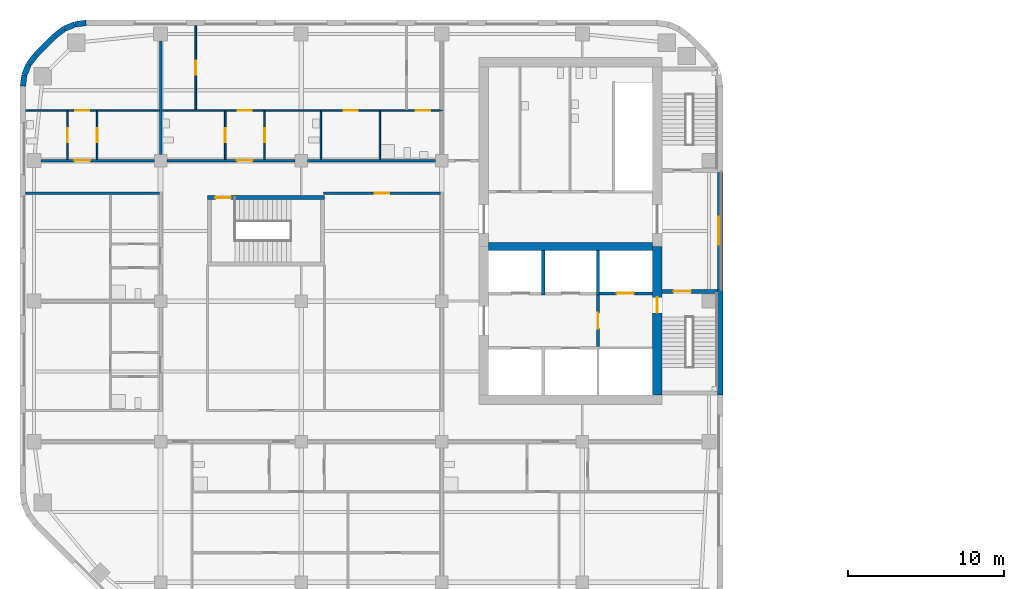
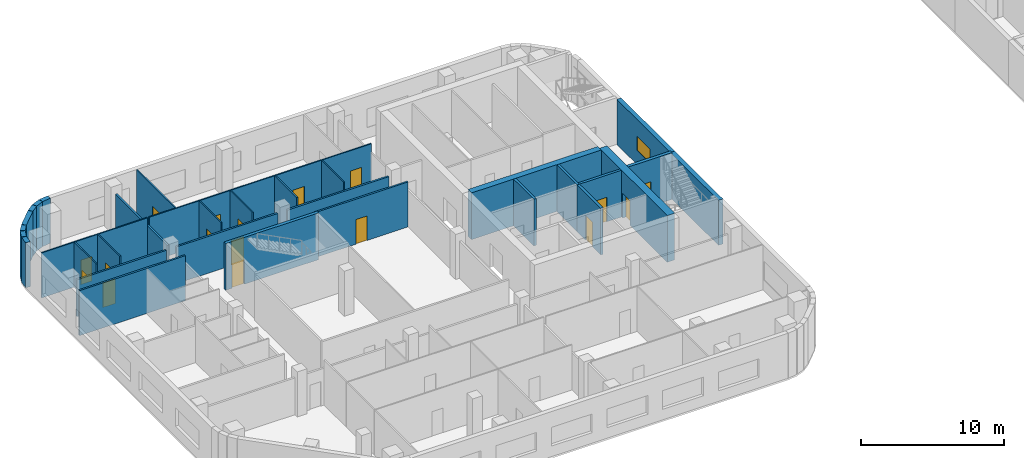
# One storey, part 7 of 16: 32 walls, 17 doors, 1 window, 18 openings.
"""IFC4 building model written with IfcOpenShell, lengths in metres."""

from ifc_helpers import new_model, si_unit, direction, frame, frame_2d, origin, place, context, subcontext, project, spatial, rectangle, extrude, material, layer, layer_set, type_object, element, fill, save


model = new_model("IFC4")

# Units and contexts
model_context = context("Model", 3, precision=1e-05, world=origin(), true_north=direction((0.0, 1.0)))
body_context = subcontext(model_context, "Body", "Model", "MODEL_VIEW")
ifc_project = project(units=[si_unit("LENGTHUNIT", "METRE"), si_unit("AREAUNIT", "SQUARE_METRE"), si_unit("VOLUMEUNIT", "CUBIC_METRE"), si_unit("PLANEANGLEUNIT", "RADIAN"), si_unit("MASSUNIT", "GRAM", prefix="KILO")], contexts=[model_context])

# Site, building, storey
site_placement = place(None, origin())
site = spatial("IfcSite", under=ifc_project, at=site_placement, CompositionType="ELEMENT")
building_placement = place(site_placement, origin())
building = spatial("IfcBuilding", under=site, at=building_placement, Name="Cinnabar Reach Civic Tower", CompositionType="ELEMENT")
storey_placement = place(building_placement, frame((0.0, 0.0, 34.0)))
storey = spatial("IfcBuildingStorey", under=building, at=storey_placement, Name="L07", CompositionType="ELEMENT", Elevation=34.0)

# Walls
ifc_material_1 = material(Name="Facing brick with insulated backing", Category="masonry")
ifc_layer_1 = layer(ifc_material_1, 0.36)
ifc_layer_set_1 = layer_set([ifc_layer_1], Name="Brick corner wall")
wall_type_1 = type_object("IfcWallType", Name="Brick corner wall", PredefinedType="STANDARD", material=ifc_layer_set_1)
for number, where, z_axis, x_axis, name in (
    (1, (-67.7686, 44.817, 0.0), (0.0, 0.0, 1.0), (-0.99144092581, -0.13055608231, 0.0), "Brick corner wall"),
    (2, (-68.4973, 44.7181, 0.0), (0.0, 0.0, 1.0), (-0.923871547278, -0.382702709855, 0.0), "Brick corner wall"),
):
    element("IfcWall", number, at=place(storey_placement, frame(where, z_axis=z_axis, x_axis=x_axis)), inside=storey, type_object=wall_type_1, Name=name, PredefinedType="STANDARD", context=body_context, shape_type="SweptSolid", body=[
        extrude(rectangle(XDim=0.7131, YDim=0.36, at=frame_2d((0.3565, 0.0))), origin(), (0.0, 0.0, 1.0), 3.85),
    ])
for number, where, z_axis, x_axis, name in (
    (3, (-69.1755, 44.434, 0.0), (0.0, 0.0, 1.0), (-0.793321924995, -0.608802368033, 0.0), "Brick corner wall"),
    (4, (-70.9998, 42.7413, 0.0), (0.0, 0.0, 1.0), (-0.608802368033, -0.793321924995, 0.0), "Brick corner wall"),
):
    element("IfcWall", number, at=place(storey_placement, frame(where, z_axis=z_axis, x_axis=x_axis)), inside=storey, type_object=wall_type_1, Name=name, PredefinedType="STANDARD", context=body_context, shape_type="SweptSolid", body=[
        extrude(rectangle(XDim=0.7132, YDim=0.36, at=frame_2d((0.3566, 0.0))), origin(), (0.0, 0.0, 1.0), 3.85),
    ])
for number, where, z_axis, x_axis, name in (
    (5, (-71.4452, 42.1561, 0.0), (0.0, 0.0, 1.0), (-0.382702709855, -0.923871547278, 0.0), "Brick corner wall"),
    (6, (-71.7239, 41.4756, 0.0), (0.0, 0.0, 1.0), (-0.13055608231, -0.99144092581, 0.0), "Brick corner wall"),
):
    element("IfcWall", number, at=place(storey_placement, frame(where, z_axis=z_axis, x_axis=x_axis)), inside=storey, type_object=wall_type_1, Name=name, PredefinedType="STANDARD", context=body_context, shape_type="SweptSolid", body=[
        extrude(rectangle(XDim=0.7131, YDim=0.36, at=frame_2d((0.3565, 0.0))), origin(), (0.0, 0.0, 1.0), 3.85),
    ])
ifc_layer_2 = layer(ifc_material_1, 0.36)
ifc_layer_set_2 = layer_set([ifc_layer_2], Name="Brick pier and spandrel wall")
wall_type_2 = type_object("IfcWallType", Name="Brick pier and spandrel wall", PredefinedType="STANDARD", material=ifc_layer_set_2)
wall_1_placement = place(storey_placement, frame((-27.18, 21.0, 0.0), z_axis=(0.0, 0.0, 1.0), x_axis=(0.0, 1.0, 0.0)))
element("IfcWall", 7, at=wall_1_placement, inside=storey, type_object=wall_type_2, Name="Brick facade wall", PredefinedType="STANDARD", context=body_context, shape_type="SweptSolid", body=[
    extrude(rectangle(XDim=6.75, YDim=0.36, at=frame_2d((3.375, 0.0))), origin(), (0.0, 0.0, 1.0), 3.85),
])

# Wall, opening, window
wall_2_placement = place(storey_placement, frame((-27.18, 27.75, 0.0), z_axis=(0.0, 0.0, 1.0), x_axis=(0.0, 1.0, 0.0)))
wall_2 = element("IfcWall", 8, at=wall_2_placement, inside=storey, type_object=wall_type_2, Name="Brick facade wall", PredefinedType="STANDARD", context=body_context, shape_type="SweptSolid", body=[
    extrude(rectangle(XDim=7.5, YDim=0.36, at=frame_2d((3.75, 0.0))), origin(), (0.0, 0.0, 1.0), 3.85),
])
opening_1_placement = place(wall_2_placement, frame((2.85, 0.0, 1.2)))
opening_1 = element("IfcOpeningElement", 9, at=opening_1_placement, cuts=wall_2, Name="Opening W2402", PredefinedType="OPENING", context=body_context, shape_type="SweptSolid", body=[
    extrude(rectangle(XDim=1.8, YDim=1.2, at=frame_2d((0.9, 0.6))), frame((0.0, 0.19, 0.0), z_axis=(0.0, -1.0, 0.0), x_axis=(1.0, 0.0, 0.0)), (0.0, 0.0, 1.0), 0.38),
])
ifc_material_2 = material(Name="Clear double glazing in aluminium frame", Category="aluminium")
window_type = type_object("IfcWindowType", Name="Deep-set window C", PartitioningType="SINGLE_PANEL", PredefinedType="WINDOW", material=ifc_material_2)
window_placement = place(opening_1_placement, origin())
window = element("IfcWindow", 10, at=window_placement, inside=storey, type_object=window_type, Name="Window east face", OverallHeight=1.2, OverallWidth=1.8, PartitioningType="SINGLE_PANEL", PredefinedType="WINDOW", context=body_context, shape_type="SweptSolid", body=[
    extrude(rectangle(XDim=1.8, YDim=1.2, at=frame_2d((0.9, 0.6))), frame((0.0, 0.13, 0.0), z_axis=(0.0, -1.0, 0.0), x_axis=(1.0, 0.0, 0.0)), (0.0, 0.0, 1.0), 0.06),
])
fill(opening_1, window)

# Walls
wall_3_placement = place(storey_placement, frame((-69.7514, 43.994, 0.0), z_axis=(0.0, 0.0, 1.0), x_axis=(-0.707106781187, -0.707106781187, 0.0)))
element("IfcWall", 11, at=wall_3_placement, inside=storey, type_object=wall_type_2, Name="Brick facade wall", PredefinedType="STANDARD", context=body_context, shape_type="SweptSolid", body=[
    extrude(rectangle(XDim=1.7573, YDim=0.36, at=frame_2d((0.8787, 0.0))), origin(), (0.0, 0.0, 1.0), 3.85),
])
ifc_material_3 = material(Name="Concrete C60", Category="concrete")
ifc_layer_3 = layer(ifc_material_3, 0.5)
ifc_layer_set_3 = layer_set([ifc_layer_3], Name="Core wall 500 EI 180")
wall_type_3 = type_object("IfcWallType", Name="Core wall 500 EI 180", PredefinedType="SOLIDWALL", material=ifc_layer_set_3)
wall_4_placement = place(storey_placement, frame((-42.0, 30.5, 0.0), z_axis=(0.0, 0.0, 1.0), x_axis=(1.0, 0.0, 0.0)))
element("IfcWall", 12, at=wall_4_placement, inside=storey, type_object=wall_type_3, Name="Core spine wall T2 L07", PredefinedType="SOLIDWALL", context=body_context, shape_type="SweptSolid", body=[
    extrude(rectangle(XDim=10.5, YDim=0.5, at=frame_2d((5.25, 0.0))), origin(), (0.0, 0.0, 1.0), 4.0),
])

# Wall, opening, door
ifc_material_4 = material(Name="Concrete C70", Category="concrete")
ifc_layer_4 = layer(ifc_material_4, 0.6)
ifc_layer_set_4 = layer_set([ifc_layer_4], Name="Core wall 600 EI 180")
wall_type_4 = type_object("IfcWallType", Name="Core wall 600 EI 180", PredefinedType="SOLIDWALL", material=ifc_layer_set_4)
wall_5_placement = place(storey_placement, frame((-31.2, 21.0, 0.0), z_axis=(0.0, 0.0, 1.0), x_axis=(0.0, 1.0, 0.0)))
wall_5 = element("IfcWall", 13, at=wall_5_placement, inside=storey, type_object=wall_type_4, Name="Core wall T2 L07 E", PredefinedType="SOLIDWALL", context=body_context, shape_type="SweptSolid", body=[
    extrude(rectangle(XDim=9.5, YDim=0.6, at=frame_2d((4.75, 0.0))), origin(), (0.0, 0.0, 1.0), 4.0),
])
opening_2_placement = place(wall_5_placement, frame((5.25, 0.0, 0.0)))
opening_2 = element("IfcOpeningElement", 14, at=opening_2_placement, cuts=wall_5, Name="Opening D6210", PredefinedType="OPENING", context=body_context, shape_type="SweptSolid", body=[
    extrude(rectangle(XDim=1.0, YDim=2.1, at=frame_2d((0.5, 1.05))), frame((0.0, 0.31, 0.0), z_axis=(0.0, -1.0, 0.0), x_axis=(1.0, 0.0, 0.0)), (0.0, 0.0, 1.0), 0.62),
])
ifc_material_5 = material(Name="Steel fire door", Category="steel")
door_type_1 = type_object("IfcDoorType", Name="T2 Firefighting lobby door 1000", OperationType="SINGLE_SWING_LEFT", PredefinedType="DOOR", material=ifc_material_5)
door_1_placement = place(opening_2_placement, frame((1.0, 0.0, 0.0), z_axis=(0.0, 0.0, 1.0), x_axis=(-1.0, 0.0, 0.0)))
door_1 = element("IfcDoor", 15, at=door_1_placement, inside=storey, type_object=door_type_1, Name="T2 Firefighting lobby door D6210", OperationType="SINGLE_SWING_LEFT", OverallHeight=2.1, OverallWidth=1.0, PredefinedType="DOOR", context=body_context, shape_type="SweptSolid", body=[
    extrude(rectangle(XDim=1.0, YDim=2.1, at=frame_2d((0.5, 1.05))), frame((0.0, 0.025, 0.0), z_axis=(0.0, -1.0, 0.0), x_axis=(1.0, 0.0, 0.0)), (0.0, 0.0, 1.0), 0.05),
])
fill(opening_2, door_1)

# Wall
ifc_material_6 = material(Name="Gypsum board on steel studs, double layer", Category="steel")
ifc_layer_5 = layer(ifc_material_6, 0.15)
ifc_layer_set_5 = layer_set([ifc_layer_5], Name="Corridor wall 150 T2")
wall_type_5 = type_object("IfcWallType", Name="Corridor wall 150 T2", PredefinedType="PARTITIONING", material=ifc_layer_set_5)
wall_6_placement = place(storey_placement, frame((-53.6, 36.0, 0.0), z_axis=(0.0, 0.0, 1.0), x_axis=(1.0, 0.0, 0.0)))
element("IfcWall", 16, at=wall_6_placement, inside=storey, type_object=wall_type_5, Name="Corridor wall 7", PredefinedType="PARTITIONING", context=body_context, shape_type="SweptSolid", body=[
    extrude(rectangle(XDim=8.2, YDim=0.15, at=frame_2d((4.1, 0.0))), origin(), (0.0, 0.0, 1.0), 3.15),
])

# Wall, opening, door
wall_7_placement = place(storey_placement, frame((-62.6, 36.0, 0.0), z_axis=(0.0, 0.0, 1.0), x_axis=(1.0, 0.0, 0.0)))
wall_7 = element("IfcWall", 17, at=wall_7_placement, inside=storey, type_object=wall_type_5, Name="Corridor wall 8", PredefinedType="PARTITIONING", context=body_context, shape_type="SweptSolid", body=[
    extrude(rectangle(XDim=8.2, YDim=0.15, at=frame_2d((4.1, 0.0))), origin(), (0.0, 0.0, 1.0), 3.15),
])
opening_3_placement = place(wall_7_placement, frame((4.49, 0.0, 0.0)))
opening_3 = element("IfcOpeningElement", 18, at=opening_3_placement, cuts=wall_7, Name="Opening D6246", PredefinedType="OPENING", context=body_context, shape_type="SweptSolid", body=[
    extrude(rectangle(XDim=1.0, YDim=2.1, at=frame_2d((0.5, 1.05))), frame((0.0, 0.085, 0.0), z_axis=(0.0, -1.0, 0.0), x_axis=(1.0, 0.0, 0.0)), (0.0, 0.0, 1.0), 0.17),
])
ifc_material_7 = material(Name="Timber door leaf in steel frame", Category="steel")
door_type_2 = type_object("IfcDoorType", Name="Tenancy entrance door 1000 x 2100 T2", OperationType="SINGLE_SWING_LEFT", PredefinedType="DOOR", material=ifc_material_7)
door_2_placement = place(opening_3_placement, origin())
door_2 = element("IfcDoor", 19, at=door_2_placement, inside=storey, type_object=door_type_2, Name="Door D6246", OperationType="SINGLE_SWING_LEFT", OverallHeight=2.1, OverallWidth=1.0, PredefinedType="DOOR", context=body_context, shape_type="SweptSolid", body=[
    extrude(rectangle(XDim=1.0, YDim=2.1, at=frame_2d((0.5, 1.05))), frame((0.0, 0.025, 0.0), z_axis=(0.0, -1.0, 0.0), x_axis=(1.0, 0.0, 0.0)), (0.0, 0.0, 1.0), 0.05),
])
fill(opening_3, door_2)

wall_8_placement = place(storey_placement, frame((-70.65, 36.0, 0.0), z_axis=(0.0, 0.0, 1.0), x_axis=(1.0, 0.0, 0.0)))
wall_8 = element("IfcWall", 20, at=wall_8_placement, inside=storey, type_object=wall_type_5, Name="Corridor wall 9", PredefinedType="PARTITIONING", context=body_context, shape_type="SweptSolid", body=[
    extrude(rectangle(XDim=7.25, YDim=0.15, at=frame_2d((3.625, 0.0))), origin(), (0.0, 0.0, 1.0), 3.15),
])
opening_4_placement = place(wall_8_placement, frame((2.1384, 0.0, 0.0)))
opening_4 = element("IfcOpeningElement", 21, at=opening_4_placement, cuts=wall_8, Name="Opening D6238", PredefinedType="OPENING", context=body_context, shape_type="SweptSolid", body=[
    extrude(rectangle(XDim=1.0, YDim=2.1, at=frame_2d((0.5, 1.05))), frame((0.0, 0.085, 0.0), z_axis=(0.0, -1.0, 0.0), x_axis=(1.0, 0.0, 0.0)), (0.0, 0.0, 1.0), 0.17),
])
door_3_placement = place(opening_4_placement, origin())
door_3 = element("IfcDoor", 22, at=door_3_placement, inside=storey, type_object=door_type_2, Name="Door D6238", OperationType="SINGLE_SWING_RIGHT", OverallHeight=2.1, OverallWidth=1.0, PredefinedType="DOOR", context=body_context, shape_type="SweptSolid", body=[
    extrude(rectangle(XDim=1.0, YDim=2.1, at=frame_2d((0.5, 1.05))), frame((0.0, 0.025, 0.0), z_axis=(0.0, -1.0, 0.0), x_axis=(1.0, 0.0, 0.0)), (0.0, 0.0, 1.0), 0.05),
])
fill(opening_4, door_3)

# Wall
wall_9_placement = place(storey_placement, frame((-71.64, 33.9, 0.0), z_axis=(0.0, 0.0, 1.0), x_axis=(1.0, 0.0, 0.0)))
element("IfcWall", 23, at=wall_9_placement, inside=storey, type_object=wall_type_5, Name="Corridor wall 17", PredefinedType="PARTITIONING", context=body_context, shape_type="SweptSolid", body=[
    extrude(rectangle(XDim=8.565, YDim=0.15, at=frame_2d((4.2825, 0.0))), origin(), (0.0, 0.0, 1.0), 3.85),
])

# Wall, opening, door
wall_10_placement = place(storey_placement, frame((-52.575, 33.9, 0.0), z_axis=(0.0, 0.0, 1.0), x_axis=(1.0, 0.0, 0.0)))
wall_10 = element("IfcWall", 24, at=wall_10_placement, inside=storey, type_object=wall_type_5, Name="Corridor wall 18", PredefinedType="PARTITIONING", context=body_context, shape_type="SweptSolid", body=[
    extrude(rectangle(XDim=7.5, YDim=0.15, at=frame_2d((3.75, 0.0))), origin(), (0.0, 0.0, 1.0), 3.85),
])
opening_5_placement = place(wall_10_placement, frame((3.3, 0.0, 0.0)))
opening_5 = element("IfcOpeningElement", 25, at=opening_5_placement, cuts=wall_10, Name="Opening D6256", PredefinedType="OPENING", context=body_context, shape_type="SweptSolid", body=[
    extrude(rectangle(XDim=0.9, YDim=2.1, at=frame_2d((0.45, 1.05))), frame((0.0, 0.085, 0.0), z_axis=(0.0, -1.0, 0.0), x_axis=(1.0, 0.0, 0.0)), (0.0, 0.0, 1.0), 0.17),
])
door_type_3 = type_object("IfcDoorType", Name="Single swing door 900 x 2100 T2", OperationType="SINGLE_SWING_LEFT", PredefinedType="DOOR", material=ifc_material_7)
door_4_placement = place(opening_5_placement, frame((0.9, 0.0, 0.0), z_axis=(0.0, 0.0, 1.0), x_axis=(-1.0, 0.0, 0.0)))
door_4 = element("IfcDoor", 26, at=door_4_placement, inside=storey, type_object=door_type_3, Name="Door D6256", OperationType="SINGLE_SWING_LEFT", OverallHeight=2.1, OverallWidth=0.9, PredefinedType="DOOR", context=body_context, shape_type="SweptSolid", body=[
    extrude(rectangle(XDim=0.9, YDim=2.1, at=frame_2d((0.45, 1.05))), frame((0.0, 0.025, 0.0), z_axis=(0.0, -1.0, 0.0), x_axis=(1.0, 0.0, 0.0)), (0.0, 0.0, 1.0), 0.05),
])
fill(opening_5, door_4)

# Wall, openings, doors
ifc_material_8 = material(Name="Gypsum board on steel studs", Category="steel")
ifc_layer_6 = layer(ifc_material_8, 0.1)
ifc_layer_set_6 = layer_set([ifc_layer_6], Name="Partition wall 100 T2")
wall_type_6 = type_object("IfcWallType", Name="Partition wall 100 T2", PredefinedType="PARTITIONING", material=ifc_layer_set_6)
wall_11_placement = place(storey_placement, frame((-62.925, 39.2, 0.0), z_axis=(0.0, 0.0, 1.0), x_axis=(1.0, 0.0, 0.0)))
wall_11 = element("IfcWall", 27, at=wall_11_placement, inside=storey, type_object=wall_type_6, Name="Partition wall 25", PredefinedType="PARTITIONING", context=body_context, shape_type="SweptSolid", body=[
    extrude(rectangle(XDim=17.975, YDim=0.1, at=frame_2d((8.9875, 0.0))), origin(), (0.0, 0.0, 1.0), 3.85),
])
opening_6_placement = place(wall_11_placement, frame((11.635, 0.0, 0.0)))
opening_6 = element("IfcOpeningElement", 28, at=opening_6_placement, cuts=wall_11, Name="Opening D6241", PredefinedType="OPENING", context=body_context, shape_type="SweptSolid", body=[
    extrude(rectangle(XDim=0.9, YDim=2.1, at=frame_2d((0.45, 1.05))), frame((0.0, 0.06, 0.0), z_axis=(0.0, -1.0, 0.0), x_axis=(1.0, 0.0, 0.0)), (0.0, 0.0, 1.0), 0.12),
])
opening_7_placement = place(wall_11_placement, frame((4.865, 0.0, 0.0)))
opening_7 = element("IfcOpeningElement", 29, at=opening_7_placement, cuts=wall_11, Name="Opening D6242", PredefinedType="OPENING", context=body_context, shape_type="SweptSolid", body=[
    extrude(rectangle(XDim=0.9, YDim=2.1, at=frame_2d((0.45, 1.05))), frame((0.0, 0.06, 0.0), z_axis=(0.0, -1.0, 0.0), x_axis=(1.0, 0.0, 0.0)), (0.0, 0.0, 1.0), 0.12),
])
opening_8_placement = place(wall_11_placement, frame((16.275, 0.0, 0.0)))
opening_8 = element("IfcOpeningElement", 30, at=opening_8_placement, cuts=wall_11, Name="Opening D6245", PredefinedType="OPENING", context=body_context, shape_type="SweptSolid", body=[
    extrude(rectangle(XDim=0.9, YDim=2.1, at=frame_2d((0.45, 1.05))), frame((0.0, 0.06, 0.0), z_axis=(0.0, -1.0, 0.0), x_axis=(1.0, 0.0, 0.0)), (0.0, 0.0, 1.0), 0.12),
])
door_5_placement = place(opening_6_placement, frame((0.9, 0.0, 0.0), z_axis=(0.0, 0.0, 1.0), x_axis=(-1.0, 0.0, 0.0)))
door_5 = element("IfcDoor", 31, at=door_5_placement, inside=storey, type_object=door_type_3, Name="Door D6241", OperationType="SINGLE_SWING_RIGHT", OverallHeight=2.1, OverallWidth=0.9, PredefinedType="DOOR", context=body_context, shape_type="SweptSolid", body=[
    extrude(rectangle(XDim=0.9, YDim=2.1, at=frame_2d((0.45, 1.05))), frame((0.0, 0.025, 0.0), z_axis=(0.0, -1.0, 0.0), x_axis=(1.0, 0.0, 0.0)), (0.0, 0.0, 1.0), 0.05),
])
fill(opening_6, door_5)
door_6_placement = place(opening_7_placement, frame((0.9, 0.0, 0.0), z_axis=(0.0, 0.0, 1.0), x_axis=(-1.0, 0.0, 0.0)))
door_6 = element("IfcDoor", 32, at=door_6_placement, inside=storey, type_object=door_type_3, Name="Door D6242", OperationType="SINGLE_SWING_LEFT", OverallHeight=2.1, OverallWidth=0.9, PredefinedType="DOOR", context=body_context, shape_type="SweptSolid", body=[
    extrude(rectangle(XDim=0.9, YDim=2.1, at=frame_2d((0.45, 1.05))), frame((0.0, 0.025, 0.0), z_axis=(0.0, -1.0, 0.0), x_axis=(1.0, 0.0, 0.0)), (0.0, 0.0, 1.0), 0.05),
])
fill(opening_7, door_6)
door_7_placement = place(opening_8_placement, frame((0.9, 0.0, 0.0), z_axis=(0.0, 0.0, 1.0), x_axis=(-1.0, 0.0, 0.0)))
door_7 = element("IfcDoor", 33, at=door_7_placement, inside=storey, type_object=door_type_3, Name="Door D6245", OperationType="SINGLE_SWING_LEFT", OverallHeight=2.1, OverallWidth=0.9, PredefinedType="DOOR", context=body_context, shape_type="SweptSolid", body=[
    extrude(rectangle(XDim=0.9, YDim=2.1, at=frame_2d((0.45, 1.05))), frame((0.0, 0.025, 0.0), z_axis=(0.0, -1.0, 0.0), x_axis=(1.0, 0.0, 0.0)), (0.0, 0.0, 1.0), 0.05),
])
fill(opening_8, door_7)

# Wall, opening, door
wall_12_placement = place(storey_placement, frame((-71.64, 39.2, 0.0), z_axis=(0.0, 0.0, 1.0), x_axis=(1.0, 0.0, 0.0)))
wall_12 = element("IfcWall", 34, at=wall_12_placement, inside=storey, type_object=wall_type_6, Name="Partition wall 26", PredefinedType="PARTITIONING", context=body_context, shape_type="SweptSolid", body=[
    extrude(rectangle(XDim=8.565, YDim=0.1, at=frame_2d((4.2825, 0.0))), origin(), (0.0, 0.0, 1.0), 3.85),
])
opening_9_placement = place(wall_12_placement, frame((3.1784, 0.0, 0.0)))
opening_9 = element("IfcOpeningElement", 35, at=opening_9_placement, cuts=wall_12, Name="Opening D6237", PredefinedType="OPENING", context=body_context, shape_type="SweptSolid", body=[
    extrude(rectangle(XDim=0.9, YDim=2.1, at=frame_2d((0.45, 1.05))), frame((0.0, 0.06, 0.0), z_axis=(0.0, -1.0, 0.0), x_axis=(1.0, 0.0, 0.0)), (0.0, 0.0, 1.0), 0.12),
])
door_8_placement = place(opening_9_placement, frame((0.9, 0.0, 0.0), z_axis=(0.0, 0.0, 1.0), x_axis=(-1.0, 0.0, 0.0)))
door_8 = element("IfcDoor", 36, at=door_8_placement, inside=storey, type_object=door_type_3, Name="Door D6237", OperationType="SINGLE_SWING_RIGHT", OverallHeight=2.1, OverallWidth=0.9, PredefinedType="DOOR", context=body_context, shape_type="SweptSolid", body=[
    extrude(rectangle(XDim=0.9, YDim=2.1, at=frame_2d((0.45, 1.05))), frame((0.0, 0.025, 0.0), z_axis=(0.0, -1.0, 0.0), x_axis=(1.0, 0.0, 0.0)), (0.0, 0.0, 1.0), 0.05),
])
fill(opening_9, door_8)

wall_13_placement = place(storey_placement, frame((-60.75, 39.25, 0.0), z_axis=(0.0, 0.0, 1.0), x_axis=(0.0, 1.0, 0.0)))
wall_13 = element("IfcWall", 37, at=wall_13_placement, inside=storey, type_object=wall_type_6, Name="Partition wall 42", PredefinedType="PARTITIONING", context=body_context, shape_type="SweptSolid", body=[
    extrude(rectangle(XDim=5.39, YDim=0.1, at=frame_2d((2.695, 0.0))), origin(), (0.0, 0.0, 1.0), 3.85),
])
opening_10_placement = place(wall_13_placement, frame((2.25, 0.0, 0.0)))
opening_10 = element("IfcOpeningElement", 38, at=opening_10_placement, cuts=wall_13, Name="Opening D6243", PredefinedType="OPENING", context=body_context, shape_type="SweptSolid", body=[
    extrude(rectangle(XDim=0.9, YDim=2.1, at=frame_2d((0.45, 1.05))), frame((0.0, 0.06, 0.0), z_axis=(0.0, -1.0, 0.0), x_axis=(1.0, 0.0, 0.0)), (0.0, 0.0, 1.0), 0.12),
])
door_9_placement = place(opening_10_placement, origin())
door_9 = element("IfcDoor", 39, at=door_9_placement, inside=storey, type_object=door_type_3, Name="Door D6243", OperationType="SINGLE_SWING_LEFT", OverallHeight=2.1, OverallWidth=0.9, PredefinedType="DOOR", context=body_context, shape_type="SweptSolid", body=[
    extrude(rectangle(XDim=0.9, YDim=2.1, at=frame_2d((0.45, 1.05))), frame((0.0, 0.025, 0.0), z_axis=(0.0, -1.0, 0.0), x_axis=(1.0, 0.0, 0.0)), (0.0, 0.0, 1.0), 0.05),
])
fill(opening_10, door_9)

wall_14_placement = place(storey_placement, frame((-68.9616, 36.075, 0.0), z_axis=(0.0, 0.0, 1.0), x_axis=(0.0, 1.0, 0.0)))
wall_14 = element("IfcWall", 40, at=wall_14_placement, inside=storey, type_object=wall_type_6, Name="Partition wall 48", PredefinedType="PARTITIONING", context=body_context, shape_type="SweptSolid", body=[
    extrude(rectangle(XDim=3.075, YDim=0.1, at=frame_2d((1.5375, 0.0))), origin(), (0.0, 0.0, 1.0), 3.85),
])
opening_11_placement = place(wall_14_placement, frame((1.1, 0.0, 0.0)))
opening_11 = element("IfcOpeningElement", 41, at=opening_11_placement, cuts=wall_14, Name="Opening D6235", PredefinedType="OPENING", context=body_context, shape_type="SweptSolid", body=[
    extrude(rectangle(XDim=0.9, YDim=2.1, at=frame_2d((0.45, 1.05))), frame((0.0, 0.06, 0.0), z_axis=(0.0, -1.0, 0.0), x_axis=(1.0, 0.0, 0.0)), (0.0, 0.0, 1.0), 0.12),
])
door_10_placement = place(opening_11_placement, origin())
door_10 = element("IfcDoor", 42, at=door_10_placement, inside=storey, type_object=door_type_3, Name="Door D6235", OperationType="SINGLE_SWING_LEFT", OverallHeight=2.1, OverallWidth=0.9, PredefinedType="DOOR", context=body_context, shape_type="SweptSolid", body=[
    extrude(rectangle(XDim=0.9, YDim=2.1, at=frame_2d((0.45, 1.05))), frame((0.0, 0.025, 0.0), z_axis=(0.0, -1.0, 0.0), x_axis=(1.0, 0.0, 0.0)), (0.0, 0.0, 1.0), 0.05),
])
fill(opening_11, door_10)

wall_15_placement = place(storey_placement, frame((-67.0608, 36.075, 0.0), z_axis=(0.0, 0.0, 1.0), x_axis=(0.0, 1.0, 0.0)))
wall_15 = element("IfcWall", 43, at=wall_15_placement, inside=storey, type_object=wall_type_6, Name="Partition wall 49", PredefinedType="PARTITIONING", context=body_context, shape_type="SweptSolid", body=[
    extrude(rectangle(XDim=3.075, YDim=0.1, at=frame_2d((1.5375, 0.0))), origin(), (0.0, 0.0, 1.0), 3.85),
])
opening_12_placement = place(wall_15_placement, frame((1.1, 0.0, 0.0)))
opening_12 = element("IfcOpeningElement", 44, at=opening_12_placement, cuts=wall_15, Name="Opening D6236", PredefinedType="OPENING", context=body_context, shape_type="SweptSolid", body=[
    extrude(rectangle(XDim=0.9, YDim=2.1, at=frame_2d((0.45, 1.05))), frame((0.0, 0.06, 0.0), z_axis=(0.0, -1.0, 0.0), x_axis=(1.0, 0.0, 0.0)), (0.0, 0.0, 1.0), 0.12),
])
door_11_placement = place(opening_12_placement, origin())
door_11 = element("IfcDoor", 45, at=door_11_placement, inside=storey, type_object=door_type_3, Name="Door D6236", OperationType="SINGLE_SWING_RIGHT", OverallHeight=2.1, OverallWidth=0.9, PredefinedType="DOOR", context=body_context, shape_type="SweptSolid", body=[
    extrude(rectangle(XDim=0.9, YDim=2.1, at=frame_2d((0.45, 1.05))), frame((0.0, 0.025, 0.0), z_axis=(0.0, -1.0, 0.0), x_axis=(1.0, 0.0, 0.0)), (0.0, 0.0, 1.0), 0.05),
])
fill(opening_12, door_11)

wall_16_placement = place(storey_placement, frame((-58.86, 36.075, 0.0), z_axis=(0.0, 0.0, 1.0), x_axis=(0.0, 1.0, 0.0)))
wall_16 = element("IfcWall", 46, at=wall_16_placement, inside=storey, type_object=wall_type_6, Name="Partition wall 50", PredefinedType="PARTITIONING", context=body_context, shape_type="SweptSolid", body=[
    extrude(rectangle(XDim=3.075, YDim=0.1, at=frame_2d((1.5375, 0.0))), origin(), (0.0, 0.0, 1.0), 3.85),
])
opening_13_placement = place(wall_16_placement, frame((1.1, 0.0, 0.0)))
opening_13 = element("IfcOpeningElement", 47, at=opening_13_placement, cuts=wall_16, Name="Opening D6239", PredefinedType="OPENING", context=body_context, shape_type="SweptSolid", body=[
    extrude(rectangle(XDim=0.9, YDim=2.1, at=frame_2d((0.45, 1.05))), frame((0.0, 0.06, 0.0), z_axis=(0.0, -1.0, 0.0), x_axis=(1.0, 0.0, 0.0)), (0.0, 0.0, 1.0), 0.12),
])
door_12_placement = place(opening_13_placement, origin())
door_12 = element("IfcDoor", 48, at=door_12_placement, inside=storey, type_object=door_type_3, Name="Door D6239", OperationType="SINGLE_SWING_LEFT", OverallHeight=2.1, OverallWidth=0.9, PredefinedType="DOOR", context=body_context, shape_type="SweptSolid", body=[
    extrude(rectangle(XDim=0.9, YDim=2.1, at=frame_2d((0.45, 1.05))), frame((0.0, 0.025, 0.0), z_axis=(0.0, -1.0, 0.0), x_axis=(1.0, 0.0, 0.0)), (0.0, 0.0, 1.0), 0.05),
])
fill(opening_13, door_12)

wall_17_placement = place(storey_placement, frame((-56.34, 36.075, 0.0), z_axis=(0.0, 0.0, 1.0), x_axis=(0.0, 1.0, 0.0)))
wall_17 = element("IfcWall", 49, at=wall_17_placement, inside=storey, type_object=wall_type_6, Name="Partition wall 51", PredefinedType="PARTITIONING", context=body_context, shape_type="SweptSolid", body=[
    extrude(rectangle(XDim=3.075, YDim=0.1, at=frame_2d((1.5375, 0.0))), origin(), (0.0, 0.0, 1.0), 3.85),
])
opening_14_placement = place(wall_17_placement, frame((1.1, 0.0, 0.0)))
opening_14 = element("IfcOpeningElement", 50, at=opening_14_placement, cuts=wall_17, Name="Opening D6240", PredefinedType="OPENING", context=body_context, shape_type="SweptSolid", body=[
    extrude(rectangle(XDim=0.9, YDim=2.1, at=frame_2d((0.45, 1.05))), frame((0.0, 0.06, 0.0), z_axis=(0.0, -1.0, 0.0), x_axis=(1.0, 0.0, 0.0)), (0.0, 0.0, 1.0), 0.12),
])
door_13_placement = place(opening_14_placement, frame((0.9, 0.0, 0.0), z_axis=(0.0, 0.0, 1.0), x_axis=(-1.0, 0.0, 0.0)))
door_13 = element("IfcDoor", 51, at=door_13_placement, inside=storey, type_object=door_type_3, Name="Door D6240", OperationType="SINGLE_SWING_LEFT", OverallHeight=2.1, OverallWidth=0.9, PredefinedType="DOOR", context=body_context, shape_type="SweptSolid", body=[
    extrude(rectangle(XDim=0.9, YDim=2.1, at=frame_2d((0.45, 1.05))), frame((0.0, 0.025, 0.0), z_axis=(0.0, -1.0, 0.0), x_axis=(1.0, 0.0, 0.0)), (0.0, 0.0, 1.0), 0.05),
])
fill(opening_14, door_13)

# Walls
for number, where, z_axis, x_axis, name in (
    (52, (-52.74, 36.075, 0.0), (0.0, 0.0, 1.0), (0.0, 1.0, 0.0), "Partition wall 52"),
    (53, (-48.96, 36.075, 0.0), (0.0, 0.0, 1.0), (0.0, 1.0, 0.0), "Partition wall 53"),
):
    element("IfcWall", number, at=place(storey_placement, frame(where, z_axis=z_axis, x_axis=x_axis)), inside=storey, type_object=wall_type_6, Name=name, PredefinedType="PARTITIONING", context=body_context, shape_type="SweptSolid", body=[
        extrude(rectangle(XDim=3.075, YDim=0.1, at=frame_2d((1.5375, 0.0))), origin(), (0.0, 0.0, 1.0), 3.85),
    ])

# Wall, opening, door
ifc_layer_7 = layer(ifc_material_3, 0.25)
ifc_layer_set_7 = layer_set([ifc_layer_7], Name="Stair shaft wall 250 EI 120")
wall_type_7 = type_object("IfcWallType", Name="Stair shaft wall 250 EI 120", PredefinedType="SOLIDWALL", material=ifc_layer_set_7)
wall_18_placement = place(storey_placement, frame((-27.36, 27.625, 0.0), z_axis=(0.0, 0.0, 1.0), x_axis=(-1.0, 0.0, 0.0)))
wall_18 = element("IfcWall", 54, at=wall_18_placement, inside=storey, type_object=wall_type_7, Name="Stair shaft wall T2-S1 L07", PredefinedType="SOLIDWALL", context=body_context, shape_type="SweptSolid", body=[
    extrude(rectangle(XDim=3.54, YDim=0.25, at=frame_2d((1.77, 0.0))), origin(), (0.0, 0.0, 1.0), 4.0),
])
opening_15_placement = place(wall_18_placement, frame((1.69, 0.0, 0.0)))
opening_15 = element("IfcOpeningElement", 55, at=opening_15_placement, cuts=wall_18, Name="Opening D6211", PredefinedType="OPENING", context=body_context, shape_type="SweptSolid", body=[
    extrude(rectangle(XDim=1.1, YDim=2.1, at=frame_2d((0.55, 1.05))), frame((0.0, 0.135, 0.0), z_axis=(0.0, -1.0, 0.0), x_axis=(1.0, 0.0, 0.0)), (0.0, 0.0, 1.0), 0.27),
])
door_type_4 = type_object("IfcDoorType", Name="T2 Stair door 1100", OperationType="SINGLE_SWING_LEFT", PredefinedType="DOOR", material=ifc_material_5)
door_14_placement = place(opening_15_placement, origin())
door_14 = element("IfcDoor", 56, at=door_14_placement, inside=storey, type_object=door_type_4, Name="T2 Stair door D6211", OperationType="SINGLE_SWING_LEFT", OverallHeight=2.1, OverallWidth=1.1, PredefinedType="DOOR", context=body_context, shape_type="SweptSolid", body=[
    extrude(rectangle(XDim=1.1, YDim=2.1, at=frame_2d((0.55, 1.05))), frame((0.0, 0.025, 0.0), z_axis=(0.0, -1.0, 0.0), x_axis=(1.0, 0.0, 0.0)), (0.0, 0.0, 1.0), 0.05),
])
fill(opening_15, door_14)

wall_19_placement = place(storey_placement, frame((-52.5, 33.625, 0.0), z_axis=(0.0, 0.0, 1.0), x_axis=(-1.0, 0.0, 0.0)))
wall_19 = element("IfcWall", 57, at=wall_19_placement, inside=storey, type_object=wall_type_7, Name="Stair shaft wall T2-S3 L07", PredefinedType="SOLIDWALL", context=body_context, shape_type="SweptSolid", body=[
    extrude(rectangle(XDim=7.5, YDim=0.25, at=frame_2d((3.75, 0.0))), origin(), (0.0, 0.0, 1.0), 4.0),
])
opening_16_placement = place(wall_19_placement, frame((6.0, 0.0, 0.0)))
opening_16 = element("IfcOpeningElement", 58, at=opening_16_placement, cuts=wall_19, Name="Opening D6257", PredefinedType="OPENING", context=body_context, shape_type="SweptSolid", body=[
    extrude(rectangle(XDim=1.0, YDim=2.1, at=frame_2d((0.5, 1.05))), frame((0.0, 0.135, 0.0), z_axis=(0.0, -1.0, 0.0), x_axis=(1.0, 0.0, 0.0)), (0.0, 0.0, 1.0), 0.27),
])
door_type_5 = type_object("IfcDoorType", Name="Stair door 1000 x 2100 T2", OperationType="SINGLE_SWING_LEFT", PredefinedType="DOOR", material=ifc_material_7)
door_15_placement = place(opening_16_placement, origin())
door_15 = element("IfcDoor", 59, at=door_15_placement, inside=storey, type_object=door_type_5, Name="Door D6257", OperationType="SINGLE_SWING_RIGHT", OverallHeight=2.1, OverallWidth=1.0, PredefinedType="DOOR", context=body_context, shape_type="SweptSolid", body=[
    extrude(rectangle(XDim=1.0, YDim=2.1, at=frame_2d((0.5, 1.05))), frame((0.0, 0.025, 0.0), z_axis=(0.0, -1.0, 0.0), x_axis=(1.0, 0.0, 0.0)), (0.0, 0.0, 1.0), 0.05),
])
fill(opening_16, door_15)

# Walls
ifc_material_9 = material(Name="Concrete C40", Category="concrete")
ifc_layer_8 = layer(ifc_material_9, 0.2)
ifc_layer_set_8 = layer_set([ifc_layer_8], Name="T2 Shaft wall 200")
wall_type_8 = type_object("IfcWallType", Name="T2 Shaft wall 200", PredefinedType="SOLIDWALL", material=ifc_layer_set_8)
for number, where, z_axis, x_axis, name in (
    (60, (-38.5, 27.4, 0.0), (0.0, 0.0, 1.0), (0.0, 1.0, 0.0), "T2 Shaft wall L07 004"),
    (61, (-35.0, 27.4, 0.0), (0.0, 0.0, 1.0), (0.0, 1.0, 0.0), "T2 Shaft wall L07 006"),
):
    element("IfcWall", number, at=place(storey_placement, frame(where, z_axis=z_axis, x_axis=x_axis)), inside=storey, type_object=wall_type_8, Name=name, PredefinedType="SOLIDWALL", context=body_context, shape_type="SweptSolid", body=[
        extrude(rectangle(XDim=2.85, YDim=0.2, at=frame_2d((1.425, 0.0))), origin(), (0.0, 0.0, 1.0), 4.0),
    ])

# Wall, opening, door
wall_20_placement = place(storey_placement, frame((-34.9, 27.5, 0.0), z_axis=(0.0, 0.0, 1.0), x_axis=(1.0, 0.0, 0.0)))
wall_20 = element("IfcWall", 62, at=wall_20_placement, inside=storey, type_object=wall_type_8, Name="T2 Shaft wall L07 008", PredefinedType="SOLIDWALL", context=body_context, shape_type="SweptSolid", body=[
    extrude(rectangle(XDim=3.4, YDim=0.2, at=frame_2d((1.7, 0.0))), origin(), (0.0, 0.0, 1.0), 4.0),
])
opening_17_placement = place(wall_20_placement, frame((1.1, 0.0, 0.0)))
opening_17 = element("IfcOpeningElement", 63, at=opening_17_placement, cuts=wall_20, Name="Opening D6208", PredefinedType="OPENING", context=body_context, shape_type="SweptSolid", body=[
    extrude(rectangle(XDim=1.1, YDim=2.1, at=frame_2d((0.55, 1.05))), frame((0.0, 0.11, 0.0), z_axis=(0.0, -1.0, 0.0), x_axis=(1.0, 0.0, 0.0)), (0.0, 0.0, 1.0), 0.22),
])
door_type_6 = type_object("IfcDoorType", Name="T2 Firefighting lift landing door 1100", OperationType="SLIDING_TO_LEFT", PredefinedType="DOOR", material=ifc_material_5)
door_16_placement = place(opening_17_placement, origin())
door_16 = element("IfcDoor", 64, at=door_16_placement, inside=storey, type_object=door_type_6, Name="T2 Firefighting lift landing door D6208", OperationType="SLIDING_TO_LEFT", OverallHeight=2.1, OverallWidth=1.1, PredefinedType="DOOR", context=body_context, shape_type="SweptSolid", body=[
    extrude(rectangle(XDim=1.1, YDim=2.1, at=frame_2d((0.55, 1.05))), frame((0.0, 0.025, 0.0), z_axis=(0.0, -1.0, 0.0), x_axis=(1.0, 0.0, 0.0)), (0.0, 0.0, 1.0), 0.05),
])
fill(opening_17, door_16)

wall_21_placement = place(storey_placement, frame((-35.0, 24.1, 0.0), z_axis=(0.0, 0.0, 1.0), x_axis=(0.0, 1.0, 0.0)))
wall_21 = element("IfcWall", 65, at=wall_21_placement, inside=storey, type_object=wall_type_8, Name="T2 Shaft wall L07 009", PredefinedType="SOLIDWALL", context=body_context, shape_type="SweptSolid", body=[
    extrude(rectangle(XDim=3.3, YDim=0.2, at=frame_2d((1.65, 0.0))), origin(), (0.0, 0.0, 1.0), 4.0),
])
opening_18_placement = place(wall_21_placement, frame((1.15, 0.0, 0.0)))
opening_18 = element("IfcOpeningElement", 66, at=opening_18_placement, cuts=wall_21, Name="Opening D6209", PredefinedType="OPENING", context=body_context, shape_type="SweptSolid", body=[
    extrude(rectangle(XDim=1.0, YDim=2.1, at=frame_2d((0.5, 1.05))), frame((0.0, 0.11, 0.0), z_axis=(0.0, -1.0, 0.0), x_axis=(1.0, 0.0, 0.0)), (0.0, 0.0, 1.0), 0.22),
])
door_17_placement = place(opening_18_placement, origin())
door_17 = element("IfcDoor", 67, at=door_17_placement, inside=storey, type_object=door_type_1, Name="T2 Firefighting lobby door D6209", OperationType="SINGLE_SWING_RIGHT", OverallHeight=2.1, OverallWidth=1.0, PredefinedType="DOOR", context=body_context, shape_type="SweptSolid", body=[
    extrude(rectangle(XDim=1.0, YDim=2.1, at=frame_2d((0.5, 1.05))), frame((0.0, 0.025, 0.0), z_axis=(0.0, -1.0, 0.0), x_axis=(1.0, 0.0, 0.0)), (0.0, 0.0, 1.0), 0.05),
])
fill(opening_18, door_17)

# Wall
ifc_layer_9 = layer(ifc_material_6, 0.15)
ifc_layer_set_9 = layer_set([ifc_layer_9], Name="Tenancy separating wall 150 T2")
wall_type_9 = type_object("IfcWallType", Name="Tenancy separating wall 150 T2", PredefinedType="PARTITIONING", material=ifc_layer_set_9)
wall_22_placement = place(storey_placement, frame((-63.0, 36.4, 0.0), z_axis=(0.0, 0.0, 1.0), x_axis=(0.0, 1.0, 0.0)))
element("IfcWall", 68, at=wall_22_placement, inside=storey, type_object=wall_type_9, Name="Tenancy separating wall 22", PredefinedType="PARTITIONING", context=body_context, shape_type="SweptSolid", body=[
    extrude(rectangle(XDim=7.25, YDim=0.15, at=frame_2d((3.625, 0.0))), origin(), (0.0, 0.0, 1.0), 3.158),
])

save(model, "model.ifc")
